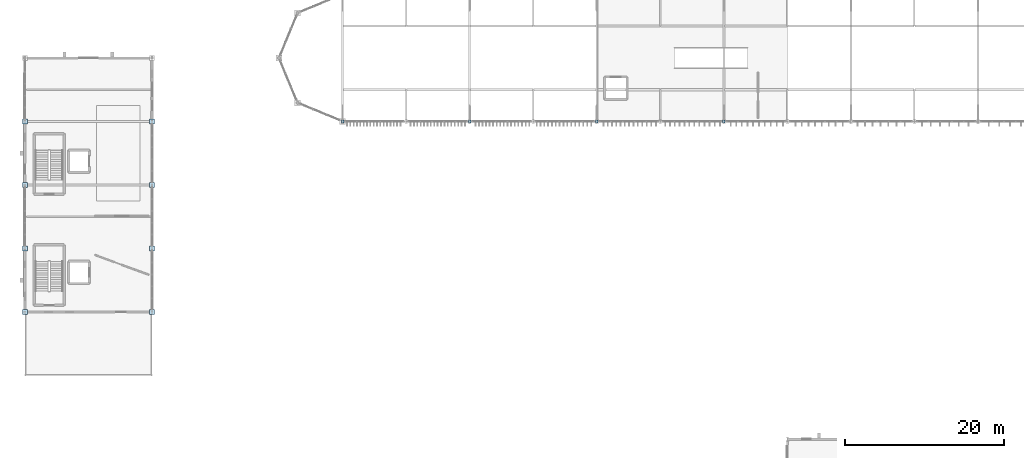
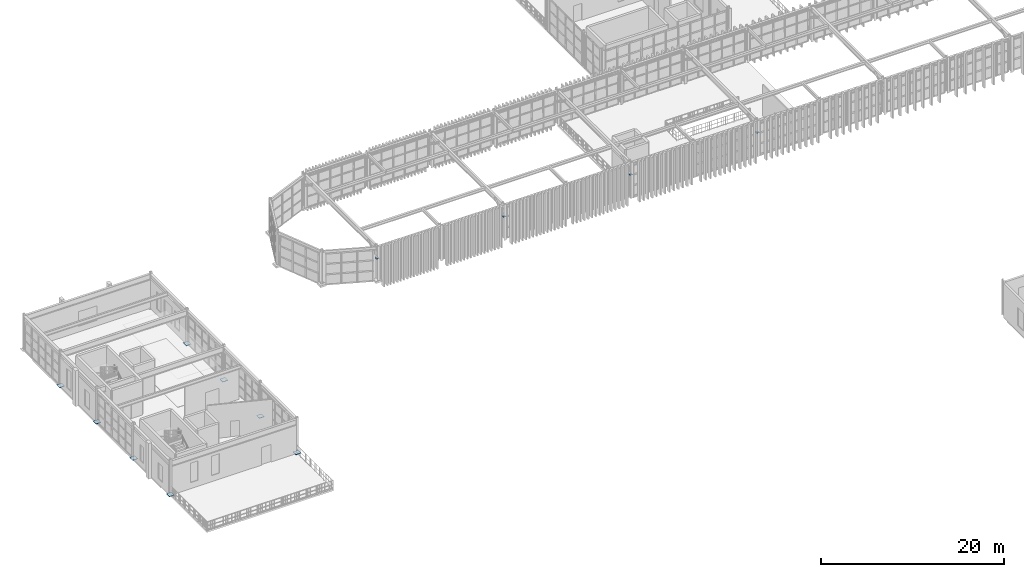
# One storey, part 45 of 61: 12 plates.
"""IFC4 building model written with IfcOpenShell, lengths in metres."""

from ifc_helpers import new_model, si_unit, direction, frame, origin, origin_2d, place, context, subcontext, project, spatial, rectangle, extrude, material, layer, layer_set, type_object, element, save


model = new_model("IFC4")

# Units and contexts
model_context = context("Model", 3, precision=1e-05, world=origin(), true_north=direction((0.0, 1.0)))
body_context = subcontext(model_context, "Body", "Model", "MODEL_VIEW")
ifc_project = project(units=[si_unit("LENGTHUNIT", "METRE"), si_unit("AREAUNIT", "SQUARE_METRE"), si_unit("VOLUMEUNIT", "CUBIC_METRE"), si_unit("PLANEANGLEUNIT", "RADIAN"), si_unit("MASSUNIT", "GRAM", prefix="KILO")], contexts=[model_context])

# Site, building, storey
site_placement = place(None, origin())
site = spatial("IfcSite", under=ifc_project, at=site_placement, CompositionType="ELEMENT")
building_placement = place(site_placement, origin())
building = spatial("IfcBuilding", under=site, at=building_placement, Name="Serraluz Foothill Cableway Terminal", CompositionType="ELEMENT")
storey_placement = place(building_placement, frame((0.0, 0.0, 15.0)))
storey = spatial("IfcBuildingStorey", under=building, at=storey_placement, Name="L03", CompositionType="ELEMENT", Elevation=15.0)

# Plates
ifc_material = material(Name="Steel ASTM A572 Grade 50", Category="steel")
ifc_layer_1 = layer(ifc_material, 0.050048828125, Name="Steel ASTM A572 Grade 50", Category="steel")
ifc_layer_set_1 = layer_set([ifc_layer_1], Name="Steel ASTM A572 Grade 50")
plate_type_1 = type_object("IfcPlateType", Name="TYP-PL-BAS-50", PredefinedType="USERDEFINED", material=ifc_layer_set_1)
for number, where, z_axis, x_axis, name in (
    (1, (0.0, 32.0, 0.0), (0.0, 0.0, 1.0), (1.0, 0.0, 0.0), "Column Base Plate BP-063"),
    (2, (16.0, 32.0, 0.0), (0.0, 0.0, 1.0), (1.0, 0.0, 0.0), "Column Base Plate BP-064"),
    (3, (0.0, 40.0, 0.0), (0.0, 0.0, 1.0), (1.0, 0.0, 0.0), "Column Base Plate BP-065"),
    (4, (16.0, 40.0, 0.0), (0.0, 0.0, 1.0), (1.0, 0.0, 0.0), "Column Base Plate BP-066"),
    (5, (0.0, 48.0, 0.0), (0.0, 0.0, 1.0), (1.0, 0.0, 0.0), "Column Base Plate BP-067"),
    (6, (16.0, 48.0, 0.0), (0.0, 0.0, 1.0), (1.0, 0.0, 0.0), "Column Base Plate BP-068"),
    (7, (0.0, 56.0, 0.0), (0.0, 0.0, 1.0), (1.0, 0.0, 0.0), "Column Base Plate BP-069"),
    (8, (16.0, 56.0, 0.0), (0.0, 0.0, 1.0), (1.0, 0.0, 0.0), "Column Base Plate BP-070"),
):
    element("IfcPlate", number, at=place(storey_placement, frame(where, z_axis=z_axis, x_axis=x_axis)), inside=storey, type_object=plate_type_1, Name=name, ObjectType="BASE_PLATE", PredefinedType="USERDEFINED", context=body_context, shape_type="SweptSolid", body=[
        extrude(rectangle(XDim=0.64990234375, YDim=0.64990234375, at=origin_2d()), origin(), (0.0, 0.0, 1.0), 0.050048828125),
    ])
ifc_layer_2 = layer(ifc_material, 0.02001953125, Name="Steel ASTM A572 Grade 50", Category="steel")
ifc_layer_set_2 = layer_set([ifc_layer_2], Name="Steel ASTM A572 Grade 50")
plate_type_2 = type_object("IfcPlateType", Name="TYP-PL-GUS-20", PredefinedType="USERDEFINED", material=ifc_layer_set_2)
plate_1_placement = place(storey_placement, frame((56.0, 56.0, 3.0400390625), z_axis=(0.0, 0.0, 1.0), x_axis=(1.0, 0.0, 0.0)))
element("IfcPlate", 9, at=plate_1_placement, inside=storey, type_object=plate_type_2, Name="Brace End Gusset Plate PL-END-0021", ObjectType="GUSSET_PLATE", PredefinedType="USERDEFINED", context=body_context, shape_type="SweptSolid", body=[
    extrude(rectangle(XDim=0.340087890625, YDim=0.340087890625, at=origin_2d()), origin(), (0.0, 0.0, 1.0), 0.02001953125),
])
ifc_layer_3 = layer(ifc_material, 0.02392578125, Name="Steel ASTM A572 Grade 50", Category="steel")
ifc_layer_set_3 = layer_set([ifc_layer_3], Name="Steel ASTM A572 Grade 50")
plate_type_3 = type_object("IfcPlateType", Name="TYP-PL-GUS-24", PredefinedType="USERDEFINED", material=ifc_layer_set_3)
for number, where, z_axis, x_axis, name in (
    (10, (40.0, 56.0, 3.0380859375), (0.0, 0.0, 1.0), (1.0, 0.0, 0.0), "Brace End Gusset Plate PL-END-0010"),
    (11, (88.0, 56.0, 3.0380859375), (0.0, 0.0, 1.0), (1.0, 0.0, 0.0), "Brace End Gusset Plate PL-END-0043"),
):
    element("IfcPlate", number, at=place(storey_placement, frame(where, z_axis=z_axis, x_axis=x_axis)), inside=storey, type_object=plate_type_3, Name=name, ObjectType="GUSSET_PLATE", PredefinedType="USERDEFINED", context=body_context, shape_type="SweptSolid", body=[
        extrude(rectangle(XDim=0.340087890625, YDim=0.340087890625, at=origin_2d()), origin(), (0.0, 0.0, 1.0), 0.02392578125),
    ])
ifc_layer_4 = layer(ifc_material, 0.030029296875, Name="Steel ASTM A572 Grade 50", Category="steel")
ifc_layer_set_4 = layer_set([ifc_layer_4], Name="Steel ASTM A572 Grade 50")
plate_type_4 = type_object("IfcPlateType", Name="TYP-PL-GUS-30", PredefinedType="USERDEFINED", material=ifc_layer_set_4)
plate_2_placement = place(storey_placement, frame((72.0, 56.0, 3.03515625), z_axis=(0.0, 0.0, 1.0), x_axis=(1.0, 0.0, 0.0)))
element("IfcPlate", 12, at=plate_2_placement, inside=storey, type_object=plate_type_4, Name="Brace End Gusset Plate PL-END-0032", ObjectType="GUSSET_PLATE", PredefinedType="USERDEFINED", context=body_context, shape_type="SweptSolid", body=[
    extrude(rectangle(XDim=0.340087890625, YDim=0.340087890625, at=origin_2d()), origin(), (0.0, 0.0, 1.0), 0.030029296875),
])

save(model, "model.ifc")
